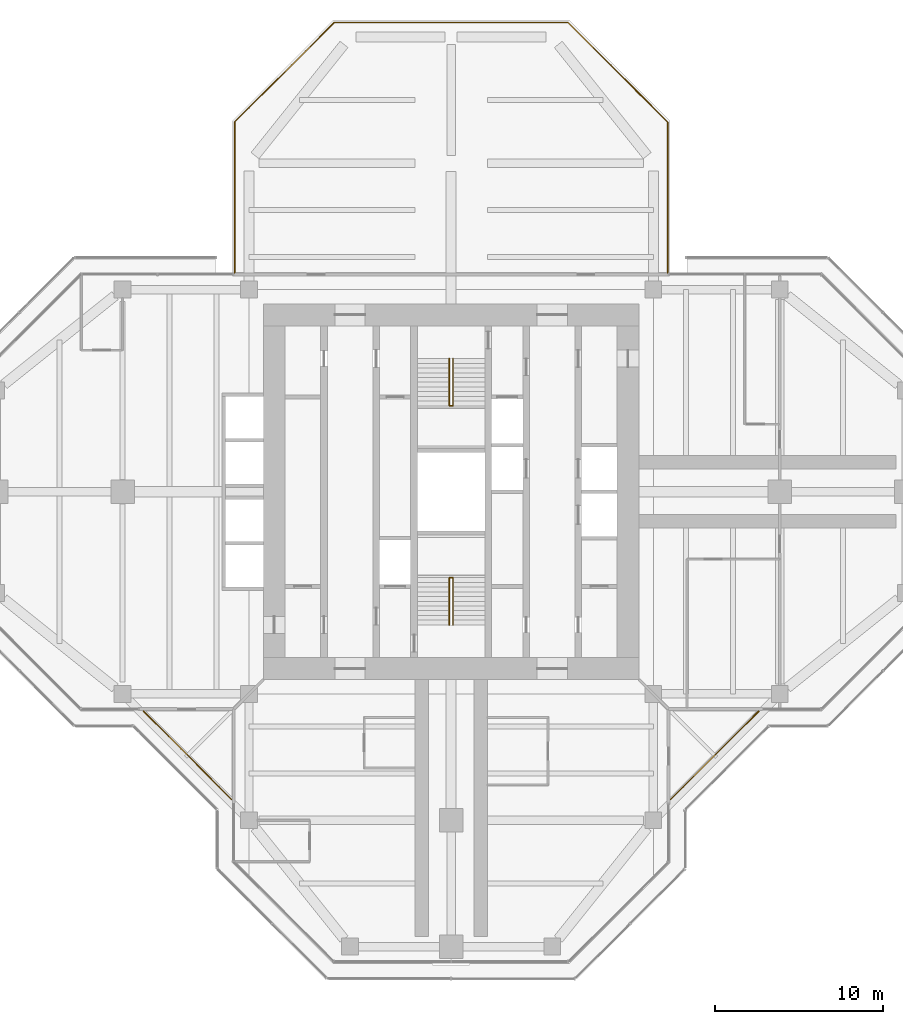
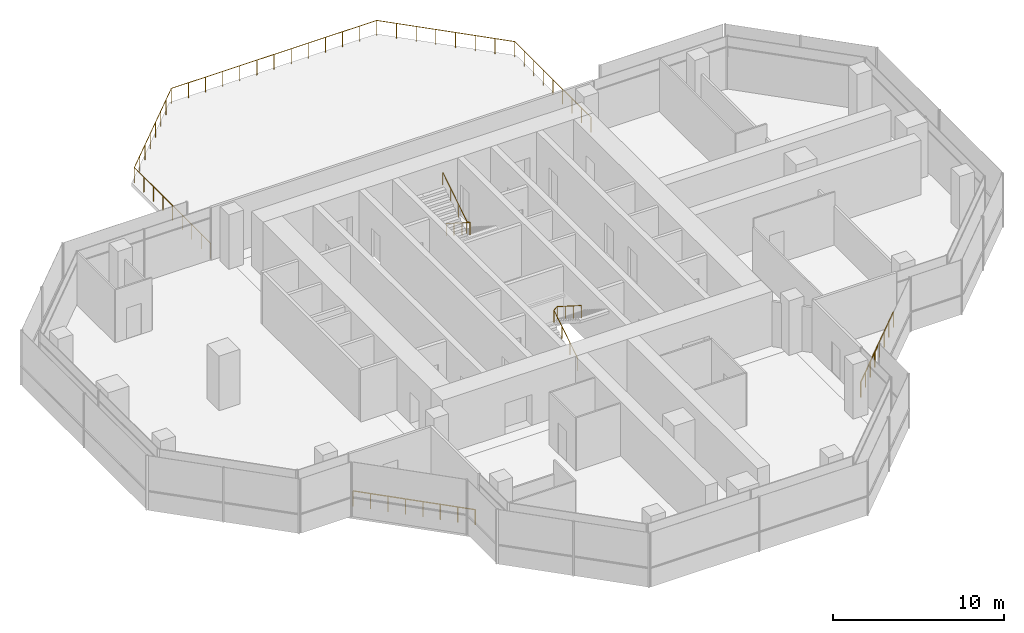
# One storey, part 15 of 15: 5 railings.
"""IFC4 building model written with IfcOpenShell, lengths in metres."""

import ifcopenshell
import ifcopenshell.guid

model = None  # the IFC model being written
_history = None  # IfcOwnerHistory: only IFC2X3 demands one
_inside = {}  # id of a spatial element -> (the spatial element, [elements in it])
_under = {}  # id of a project, library or spatial element -> (it, [spatial elements below it])
_declared = {}  # id of a project -> (the project, [libraries it declares])
_typed = {}  # id of a type object -> (the type object, [elements of that type])
_made_of = {}  # id of a material, layer set ... -> (it, [elements and type objects made of it])


def new_model(schema):
    """Start an empty IFC model of exactly this schema.

    Asked for "IFC4X3", IfcOpenShell would pick the latest addendum, in which some entities
    have other attributes; the version numbers below select the first issue.
    IFC2X3 requires an IfcOwnerHistory on every rooted entity: one is made here for all.
    """
    global model, _history
    if schema == "IFC4X3":
        model = ifcopenshell.file(schema_version=(4, 3, 0, 0))
    else:
        model = ifcopenshell.file(schema=schema)
    _inside.clear()
    _under.clear()
    _declared.clear()
    _typed.clear()
    _made_of.clear()
    _history = None
    if model.schema == "IFC2X3":
        org = make("IfcOrganization", Name="unknown")
        user = make(
            "IfcPersonAndOrganization",
            ThePerson=make("IfcPerson", FamilyName="unknown"),
            TheOrganization=org,
        )
        app = make(
            "IfcApplication",
            ApplicationDeveloper=org,
            Version="unknown",
            ApplicationFullName="unknown",
            ApplicationIdentifier="unknown",
        )
        _history = make(
            "IfcOwnerHistory",
            OwningUser=user,
            OwningApplication=app,
            ChangeAction="ADDED",
            CreationDate=0,
        )
    return model


def make(cls, **values):
    """One entity of the class cls with the attributes given. An attribute that is None is left unset."""
    return model.create_entity(
        cls, **{name: value for name, value in values.items() if value is not None}
    )


def rooted(cls, **values):
    """An entity with a GlobalId (a new one), such as an element, a storey or a relation."""
    return make(cls, GlobalId=ifcopenshell.guid.new(), OwnerHistory=_history, **values)


def si_unit(unit_type, name, prefix=None):
    """IfcSIUnit, for example si_unit("LENGTHUNIT", "METRE", prefix="MILLI")."""
    return make("IfcSIUnit", UnitType=unit_type, Prefix=prefix, Name=name)


def assignment(units):
    """IfcUnitAssignment: the units of a project."""
    return None if units is None else make("IfcUnitAssignment", Units=units)


def point(xyz):
    """IfcCartesianPoint."""
    return None if xyz is None else make("IfcCartesianPoint", Coordinates=xyz)


def direction(xyz):
    """IfcDirection."""
    return None if xyz is None else make("IfcDirection", DirectionRatios=xyz)


def frame(location, z_axis=None, x_axis=None):
    """IfcAxis2Placement3D, a coordinate frame: its origin and axes. An axis left out is left unset."""
    return make(
        "IfcAxis2Placement3D",
        Location=point(location),
        Axis=direction(z_axis),
        RefDirection=direction(x_axis),
    )


def frame_2d(location, x_axis=None):
    """IfcAxis2Placement2D, a coordinate frame in the plane: its origin and x axis."""
    return make(
        "IfcAxis2Placement2D", Location=point(location), RefDirection=direction(x_axis)
    )


def origin():
    """The frame at (0, 0, 0) with its axes left unset."""
    return frame((0.0, 0.0, 0.0))


def origin_2d():
    """The frame at (0, 0) in the plane with its x axis left unset."""
    return frame_2d((0.0, 0.0))


def place(relative_to, where):
    """IfcLocalPlacement: puts the frame where relative to a parent placement (None: the world)."""
    return make(
        "IfcLocalPlacement", PlacementRelTo=relative_to, RelativePlacement=where
    )


def context(
    kind, dimensions, precision=None, world=None, true_north=None, identifier=None
):
    """IfcGeometricRepresentationContext, for example the 3D "Model" context."""
    return make(
        "IfcGeometricRepresentationContext",
        ContextIdentifier=identifier,
        ContextType=kind,
        CoordinateSpaceDimension=dimensions,
        Precision=precision,
        WorldCoordinateSystem=world,
        TrueNorth=true_north,
    )


def subcontext(parent, identifier, kind, view, scale=None):
    """IfcGeometricRepresentationSubContext, for example "Body" below "Model"."""
    return make(
        "IfcGeometricRepresentationSubContext",
        ContextIdentifier=identifier,
        ContextType=kind,
        ParentContext=parent,
        TargetScale=scale,
        TargetView=view,
    )


def project(units=None, contexts=None):
    """IfcProject with its units and contexts."""
    return rooted(
        "IfcProject",
        Name="project",
        RepresentationContexts=contexts,
        UnitsInContext=assignment(units),
    )


def spatial(cls, under=None, at=None, **own):
    """A site, building, storey or space (cls), placed at a placement, below another one or the project."""
    s = rooted(cls, ObjectPlacement=at, **own)
    if under is not None:
        _under.setdefault(under.id(), (under, []))[1].append(s)
    return s


def profile(cls, at=None, kind="AREA", **sizes):
    """A parametric profile (cls). Its sizes go by their IFC names, for example OverallWidth=200.0."""
    return make(cls, ProfileType=kind, Position=at, **sizes)


def circle(**sizes):
    """IfcCircleProfileDef."""
    return profile("IfcCircleProfileDef", **sizes)


def extrude(swept, where, along, depth):
    """IfcExtrudedAreaSolid: the profile swept, set in the frame where, extruded along a direction by depth."""
    return make(
        "IfcExtrudedAreaSolid",
        SweptArea=swept,
        Position=where,
        ExtrudedDirection=direction(along),
        Depth=depth,
    )


def shape(context_of_items, identifier, shape_type, items):
    """IfcShapeRepresentation: the items that make up one representation, for example the "Body"."""
    return make(
        "IfcShapeRepresentation",
        ContextOfItems=context_of_items,
        RepresentationIdentifier=identifier,
        RepresentationType=shape_type,
        Items=items,
    )


def material(Name=None, Category=None):
    """IfcMaterial."""
    return make("IfcMaterial", Name=Name, Category=Category)


def made_of(thing, what):
    """Note that an element or type object is made of a material, layer set ...; save() writes the relation."""
    if what is not None:
        _made_of.setdefault(what.id(), (what, []))[1].append(thing)
    return thing


def type_object(cls, material=None, **own):
    """A type object (cls), such as IfcWallType, which elements share."""
    return made_of(rooted(cls, **own), material)


def element(
    cls,
    number,
    at=None,
    inside=None,
    cuts=None,
    type_object=None,
    material=None,
    context=None,
    identifier="Body",
    shape_type=None,
    held_by="IfcProductDefinitionShape",
    body=None,
    shapes=None,
    **own,
):
    """One element of the class cls, such as IfcWall. Its Tag is "e" and its number.

    at: its placement. inside: the storey or other place that contains it. cuts: it is an
    opening in that element (IfcRelVoidsElement). A single representation is given by context,
    identifier, shape_type and body (its items); several are given by shapes. held_by: the class
    of the entity that holds the representations. save() writes the other relations.
    """
    e = rooted(cls, Tag="e%d" % number, ObjectPlacement=at, **own)
    if body is not None:
        shapes = [shape(context, identifier, shape_type, body)]
    if shapes is not None:
        e.Representation = make(held_by, Representations=shapes)
    if inside is not None:
        _inside.setdefault(inside.id(), (inside, []))[1].append(e)
    if cuts is not None:
        rooted(
            "IfcRelVoidsElement", RelatingBuildingElement=cuts, RelatedOpeningElement=e
        )
    if type_object is not None:
        _typed.setdefault(type_object.id(), (type_object, []))[1].append(e)
    return made_of(e, material)


def aggregate(whole, parts):
    """IfcRelAggregates: a whole, such as a stair, and the parts it consists of."""
    return rooted("IfcRelAggregates", RelatingObject=whole, RelatedObjects=parts)


def save(model, path):
    """Write the relations noted so far, then the file.

    IfcRelAggregates (storeys below a building ...), IfcRelContainedInSpatialStructure (elements
    in a storey), IfcRelDefinesByType, IfcRelAssociatesMaterial and IfcRelDeclares: one each for
    every whole, place, type object, material and project.
    """
    for whole, parts in _under.values():
        aggregate(whole, parts)
    for where, things in _inside.values():
        rooted(
            "IfcRelContainedInSpatialStructure",
            RelatedElements=things,
            RelatingStructure=where,
        )
    for kind, things in _typed.values():
        rooted("IfcRelDefinesByType", RelatedObjects=things, RelatingType=kind)
    for what, things in _made_of.values():
        rooted("IfcRelAssociatesMaterial", RelatedObjects=things, RelatingMaterial=what)
    for by, libraries in _declared.values():
        rooted("IfcRelDeclares", RelatingContext=by, RelatedDefinitions=libraries)
    model.write(path)


model = new_model("IFC4")

# Units and contexts
model_context = context("Model", 3, precision=1e-05, world=origin(), true_north=direction((0.0, 1.0)))
body_context = subcontext(model_context, "Body", "Model", "MODEL_VIEW")
ifc_project = project(units=[si_unit("LENGTHUNIT", "METRE"), si_unit("AREAUNIT", "SQUARE_METRE"), si_unit("VOLUMEUNIT", "CUBIC_METRE"), si_unit("PLANEANGLEUNIT", "RADIAN"), si_unit("MASSUNIT", "GRAM", prefix="KILO")], contexts=[model_context])

# Site, building, storey
site_placement = place(None, origin())
site = spatial("IfcSite", under=ifc_project, at=site_placement, CompositionType="ELEMENT")
building_placement = place(site_placement, origin())
building = spatial("IfcBuilding", under=site, at=building_placement, Name="Mizan Broadcast Tower", CompositionType="ELEMENT")
storey_placement = place(building_placement, frame((0.0, 0.0, 267.300048828125)))
storey = spatial("IfcBuildingStorey", under=building, at=storey_placement, Name="L63", CompositionType="ELEMENT", Elevation=267.300048828125)

# Railings
ifc_material_1 = material(Name="Stainless steel and glass guard", Category="steel")
railing_type_1 = type_object("IfcRailingType", Name="GUARD 1100", PredefinedType="GUARDRAIL", material=ifc_material_1)
railing_1_placement = place(storey_placement, frame((-18.2578125, -13.030029296875, 0.0)))
element("IfcRailing", 1, at=railing_1_placement, inside=storey, type_object=railing_type_1, Name="Winter garden guard L63 W", PredefinedType="GUARDRAIL", context=body_context, shape_type="SweptSolid", body=[
    extrude(circle(Radius=0.02392578125, at=origin_2d()), frame((0.0, 0.0, 1.076171875), z_axis=(0.707106781187, -0.707106781187, 0.0), x_axis=(0.707106781187, 0.707106781187, 0.0)), (0.0, 0.0, 1.0), 7.393310546875),
    extrude(circle(Radius=0.02099609375, at=origin_2d()), origin(), (0.0, 0.0, 1.0), 1.052001953125),
    extrude(circle(Radius=0.02099609375, at=origin_2d()), frame((0.746826171875, -0.746826171875, 0.0)), (0.0, 0.0, 1.0), 1.052001953125),
    extrude(circle(Radius=0.02099609375, at=origin_2d()), frame((1.49365234375, -1.49365234375, 0.0)), (0.0, 0.0, 1.0), 1.052001953125),
    extrude(circle(Radius=0.02099609375, at=origin_2d()), frame((2.240478515625, -2.240478515625, 0.0)), (0.0, 0.0, 1.0), 1.052001953125),
    extrude(circle(Radius=0.02099609375, at=origin_2d()), frame((2.9873046875, -2.9873046875, 0.0)), (0.0, 0.0, 1.0), 1.052001953125),
    extrude(circle(Radius=0.02099609375, at=origin_2d()), frame((3.734130859375, -3.734130859375, 0.0)), (0.0, 0.0, 1.0), 1.052001953125),
    extrude(circle(Radius=0.02099609375, at=origin_2d()), frame((4.48095703125, -4.48095703125, 0.0)), (0.0, 0.0, 1.0), 1.052001953125),
    extrude(circle(Radius=0.02099609375, at=origin_2d()), frame((5.227783203125, -5.227783203125, 0.0)), (0.0, 0.0, 1.0), 1.052001953125),
])
railing_2_placement = place(storey_placement, frame((13.030029296875, -18.2578125, 0.0)))
element("IfcRailing", 2, at=railing_2_placement, inside=storey, type_object=railing_type_1, Name="Winter garden guard L63 S", PredefinedType="GUARDRAIL", context=body_context, shape_type="SweptSolid", body=[
    extrude(circle(Radius=0.02392578125, at=origin_2d()), frame((0.0, 0.0, 1.076171875), z_axis=(0.707106781187, 0.707106781187, 0.0), x_axis=(-0.707106781187, 0.707106781187, 0.0)), (0.0, 0.0, 1.0), 7.393310546875),
    extrude(circle(Radius=0.02099609375, at=origin_2d()), origin(), (0.0, 0.0, 1.0), 1.052001953125),
    extrude(circle(Radius=0.02099609375, at=origin_2d()), frame((0.746826171875, 0.746826171875, 0.0)), (0.0, 0.0, 1.0), 1.052001953125),
    extrude(circle(Radius=0.02099609375, at=origin_2d()), frame((1.49365234375, 1.49365234375, 0.0)), (0.0, 0.0, 1.0), 1.052001953125),
    extrude(circle(Radius=0.02099609375, at=origin_2d()), frame((2.240478515625, 2.240478515625, 0.0)), (0.0, 0.0, 1.0), 1.052001953125),
    extrude(circle(Radius=0.02099609375, at=origin_2d()), frame((2.9873046875, 2.9873046875, 0.0)), (0.0, 0.0, 1.0), 1.052001953125),
    extrude(circle(Radius=0.02099609375, at=origin_2d()), frame((3.734130859375, 3.734130859375, 0.0)), (0.0, 0.0, 1.0), 1.052001953125),
    extrude(circle(Radius=0.02099609375, at=origin_2d()), frame((4.48095703125, 4.48095703125, 0.0)), (0.0, 0.0, 1.0), 1.052001953125),
    extrude(circle(Radius=0.02099609375, at=origin_2d()), frame((5.227783203125, 5.227783203125, 0.0)), (0.0, 0.0, 1.0), 1.052001953125),
])
railing_3_placement = place(storey_placement, frame((12.85009765625, 13.0, 0.0)))
element("IfcRailing", 3, at=railing_3_placement, inside=storey, type_object=railing_type_1, Name="Roof terrace guard L63", PredefinedType="GUARDRAIL", context=body_context, shape_type="SweptSolid", body=[
    extrude(circle(Radius=0.02392578125, at=origin_2d()), frame((0.0, 0.0, 1.076171875), z_axis=(0.0, 1.0, 0.0), x_axis=(-1.0, 0.0, 0.0)), (0.0, 0.0, 1.0), 8.93994140625),
    extrude(circle(Radius=0.02392578125, at=origin_2d()), frame((0.0, 8.93994140625, 1.076171875), z_axis=(-0.707106781187, 0.707106781187, 0.0), x_axis=(-0.707106781187, -0.707106781187, 0.0)), (0.0, 0.0, 1.0), 8.358154296875),
    extrude(circle(Radius=0.02392578125, at=origin_2d()), frame((-5.91015625, 14.85009765625, 1.076171875), z_axis=(-1.0, 0.0, 0.0), x_axis=(0.0, -1.0, 0.0)), (0.0, 0.0, 1.0), 13.8798828125),
    extrude(circle(Radius=0.02392578125, at=origin_2d()), frame((-19.7900390625, 14.85009765625, 1.076171875), z_axis=(-0.707106781187, -0.707106781187, 0.0), x_axis=(0.707106781187, -0.707106781187, 0.0)), (0.0, 0.0, 1.0), 8.358154296875),
    extrude(circle(Radius=0.02392578125, at=origin_2d()), frame((-25.7001953125, 8.93994140625, 1.076171875), z_axis=(0.0, -1.0, 0.0), x_axis=(1.0, 0.0, 0.0)), (0.0, 0.0, 1.0), 8.93994140625),
    extrude(circle(Radius=0.02099609375, at=origin_2d()), origin(), (0.0, 0.0, 1.0), 1.052001953125),
    extrude(circle(Radius=0.02099609375, at=origin_2d()), frame((0.0, 1.117431640625, 0.0)), (0.0, 0.0, 1.0), 1.052001953125),
    extrude(circle(Radius=0.02099609375, at=origin_2d()), frame((0.0, 2.23486328125, 0.0)), (0.0, 0.0, 1.0), 1.052001953125),
    extrude(circle(Radius=0.02099609375, at=origin_2d()), frame((0.0, 3.3525390625, 0.0)), (0.0, 0.0, 1.0), 1.052001953125),
    extrude(circle(Radius=0.02099609375, at=origin_2d()), frame((0.0, 4.469970703125, 0.0)), (0.0, 0.0, 1.0), 1.052001953125),
    extrude(circle(Radius=0.02099609375, at=origin_2d()), frame((0.0, 5.58740234375, 0.0)), (0.0, 0.0, 1.0), 1.052001953125),
    extrude(circle(Radius=0.02099609375, at=origin_2d()), frame((0.0, 6.705078125, 0.0)), (0.0, 0.0, 1.0), 1.052001953125),
    extrude(circle(Radius=0.02099609375, at=origin_2d()), frame((0.0, 7.822509765625, 0.0)), (0.0, 0.0, 1.0), 1.052001953125),
    extrude(circle(Radius=0.02099609375, at=origin_2d()), frame((0.0, 8.93994140625, 0.0)), (0.0, 0.0, 1.0), 1.052001953125),
    extrude(circle(Radius=0.02099609375, at=origin_2d()), frame((-0.84423828125, 9.7841796875, 0.0)), (0.0, 0.0, 1.0), 1.052001953125),
    extrude(circle(Radius=0.02099609375, at=origin_2d()), frame((-1.688720703125, 10.628662109375, 0.0)), (0.0, 0.0, 1.0), 1.052001953125),
    extrude(circle(Radius=0.02099609375, at=origin_2d()), frame((-2.532958984375, 11.472900390625, 0.0)), (0.0, 0.0, 1.0), 1.052001953125),
    extrude(circle(Radius=0.02099609375, at=origin_2d()), frame((-3.377197265625, 12.317138671875, 0.0)), (0.0, 0.0, 1.0), 1.052001953125),
    extrude(circle(Radius=0.02099609375, at=origin_2d()), frame((-4.221435546875, 13.161376953125, 0.0)), (0.0, 0.0, 1.0), 1.052001953125),
    extrude(circle(Radius=0.02099609375, at=origin_2d()), frame((-5.06591796875, 14.005859375, 0.0)), (0.0, 0.0, 1.0), 1.052001953125),
    extrude(circle(Radius=0.02099609375, at=origin_2d()), frame((-5.91015625, 14.85009765625, 0.0)), (0.0, 0.0, 1.0), 1.052001953125),
    extrude(circle(Radius=0.02099609375, at=origin_2d()), frame((-7.06689453125, 14.85009765625, 0.0)), (0.0, 0.0, 1.0), 1.052001953125),
    extrude(circle(Radius=0.02099609375, at=origin_2d()), frame((-8.223388671875, 14.85009765625, 0.0)), (0.0, 0.0, 1.0), 1.052001953125),
    extrude(circle(Radius=0.02099609375, at=origin_2d()), frame((-9.380126953125, 14.85009765625, 0.0)), (0.0, 0.0, 1.0), 1.052001953125),
    extrude(circle(Radius=0.02099609375, at=origin_2d()), frame((-10.536865234375, 14.85009765625, 0.0)), (0.0, 0.0, 1.0), 1.052001953125),
    extrude(circle(Radius=0.02099609375, at=origin_2d()), frame((-11.693359375, 14.85009765625, 0.0)), (0.0, 0.0, 1.0), 1.052001953125),
    extrude(circle(Radius=0.02099609375, at=origin_2d()), frame((-12.85009765625, 14.85009765625, 0.0)), (0.0, 0.0, 1.0), 1.052001953125),
    extrude(circle(Radius=0.02099609375, at=origin_2d()), frame((-14.0068359375, 14.85009765625, 0.0)), (0.0, 0.0, 1.0), 1.052001953125),
    extrude(circle(Radius=0.02099609375, at=origin_2d()), frame((-15.163330078125, 14.85009765625, 0.0)), (0.0, 0.0, 1.0), 1.052001953125),
    extrude(circle(Radius=0.02099609375, at=origin_2d()), frame((-16.320068359375, 14.85009765625, 0.0)), (0.0, 0.0, 1.0), 1.052001953125),
    extrude(circle(Radius=0.02099609375, at=origin_2d()), frame((-17.476806640625, 14.85009765625, 0.0)), (0.0, 0.0, 1.0), 1.052001953125),
    extrude(circle(Radius=0.02099609375, at=origin_2d()), frame((-18.63330078125, 14.85009765625, 0.0)), (0.0, 0.0, 1.0), 1.052001953125),
    extrude(circle(Radius=0.02099609375, at=origin_2d()), frame((-19.7900390625, 14.85009765625, 0.0)), (0.0, 0.0, 1.0), 1.052001953125),
    extrude(circle(Radius=0.02099609375, at=origin_2d()), frame((-20.63427734375, 14.005859375, 0.0)), (0.0, 0.0, 1.0), 1.052001953125),
    extrude(circle(Radius=0.02099609375, at=origin_2d()), frame((-21.478759765625, 13.161376953125, 0.0)), (0.0, 0.0, 1.0), 1.052001953125),
    extrude(circle(Radius=0.02099609375, at=origin_2d()), frame((-22.322998046875, 12.317138671875, 0.0)), (0.0, 0.0, 1.0), 1.052001953125),
    extrude(circle(Radius=0.02099609375, at=origin_2d()), frame((-23.167236328125, 11.472900390625, 0.0)), (0.0, 0.0, 1.0), 1.052001953125),
    extrude(circle(Radius=0.02099609375, at=origin_2d()), frame((-24.011474609375, 10.628662109375, 0.0)), (0.0, 0.0, 1.0), 1.052001953125),
    extrude(circle(Radius=0.02099609375, at=origin_2d()), frame((-24.85595703125, 9.7841796875, 0.0)), (0.0, 0.0, 1.0), 1.052001953125),
    extrude(circle(Radius=0.02099609375, at=origin_2d()), frame((-25.7001953125, 8.93994140625, 0.0)), (0.0, 0.0, 1.0), 1.052001953125),
    extrude(circle(Radius=0.02099609375, at=origin_2d()), frame((-25.7001953125, 7.822509765625, 0.0)), (0.0, 0.0, 1.0), 1.052001953125),
    extrude(circle(Radius=0.02099609375, at=origin_2d()), frame((-25.7001953125, 6.705078125, 0.0)), (0.0, 0.0, 1.0), 1.052001953125),
    extrude(circle(Radius=0.02099609375, at=origin_2d()), frame((-25.7001953125, 5.58740234375, 0.0)), (0.0, 0.0, 1.0), 1.052001953125),
    extrude(circle(Radius=0.02099609375, at=origin_2d()), frame((-25.7001953125, 4.469970703125, 0.0)), (0.0, 0.0, 1.0), 1.052001953125),
    extrude(circle(Radius=0.02099609375, at=origin_2d()), frame((-25.7001953125, 3.3525390625, 0.0)), (0.0, 0.0, 1.0), 1.052001953125),
    extrude(circle(Radius=0.02099609375, at=origin_2d()), frame((-25.7001953125, 2.23486328125, 0.0)), (0.0, 0.0, 1.0), 1.052001953125),
    extrude(circle(Radius=0.02099609375, at=origin_2d()), frame((-25.7001953125, 1.117431640625, 0.0)), (0.0, 0.0, 1.0), 1.052001953125),
    extrude(circle(Radius=0.02099609375, at=origin_2d()), frame((-25.7001953125, 0.0, 0.0)), (0.0, 0.0, 1.0), 1.052001953125),
])
ifc_material_2 = material(Name="Stainless steel", Category="steel")
railing_type_2 = type_object("IfcRailingType", Name="HANDRAIL 50", PredefinedType="HANDRAIL", material=ifc_material_2)
railing_4_placement = place(storey_placement, frame((-0.110107421875, -7.89990234375, 0.17724609375)))
element("IfcRailing", 4, at=railing_4_placement, inside=storey, type_object=railing_type_2, Name="Stair A handrail", PredefinedType="HANDRAIL", context=body_context, shape_type="SweptSolid", body=[
    extrude(circle(Radius=0.02392578125, at=origin_2d()), frame((0.0, 0.0, 0.8759765625), z_axis=(0.0, 0.844887892834, 0.53494340686), x_axis=(-1.0, 0.0, 0.0)), (0.0, 0.0, 1.0), 3.313720703125),
    extrude(circle(Radius=0.02392578125, at=origin_2d()), frame((0.0, 2.7998046875, 2.6484375), z_axis=(0.779011685263, 0.0, 0.627009405212), x_axis=(0.0, 1.0, 0.0)), (0.0, 0.0, 1.0), 0.28271484375),
    extrude(circle(Radius=0.02392578125, at=origin_2d()), frame((0.22021484375, 2.7998046875, 2.82568359375), z_axis=(0.0, -0.844887892834, 0.53494340686), x_axis=(1.0, 0.0, 0.0)), (0.0, 0.0, 1.0), 3.313720703125),
    extrude(circle(Radius=0.02099609375, at=origin_2d()), origin(), (0.0, 0.0, 1.0), 0.851806640625),
    extrude(circle(Radius=0.02099609375, at=origin_2d()), frame((0.0, 0.933349609375, 0.5908203125)), (0.0, 0.0, 1.0), 0.851806640625),
    extrude(circle(Radius=0.02099609375, at=origin_2d()), frame((0.0, 1.866455078125, 1.181884765625)), (0.0, 0.0, 1.0), 0.851806640625),
    extrude(circle(Radius=0.02099609375, at=origin_2d()), frame((0.0, 2.7998046875, 1.772705078125)), (0.0, 0.0, 1.0), 0.851806640625),
    extrude(circle(Radius=0.02099609375, at=origin_2d()), frame((0.22021484375, 2.7998046875, 1.949951171875)), (0.0, 0.0, 1.0), 0.851806640625),
    extrude(circle(Radius=0.02099609375, at=origin_2d()), frame((0.22021484375, 1.866455078125, 2.540771484375)), (0.0, 0.0, 1.0), 0.851806640625),
    extrude(circle(Radius=0.02099609375, at=origin_2d()), frame((0.22021484375, 0.933349609375, 3.1318359375)), (0.0, 0.0, 1.0), 0.851806640625),
    extrude(circle(Radius=0.02099609375, at=origin_2d()), frame((0.22021484375, 0.0, 3.72265625)), (0.0, 0.0, 1.0), 0.851806640625),
])
railing_5_placement = place(storey_placement, frame((0.110107421875, 7.89990234375, 0.17724609375)))
element("IfcRailing", 5, at=railing_5_placement, inside=storey, type_object=railing_type_2, Name="Stair B handrail", PredefinedType="HANDRAIL", context=body_context, shape_type="SweptSolid", body=[
    extrude(circle(Radius=0.02392578125, at=origin_2d()), frame((0.0, 0.0, 0.8759765625), z_axis=(0.0, -0.844887892834, 0.53494340686), x_axis=(1.0, 0.0, 0.0)), (0.0, 0.0, 1.0), 3.313720703125),
    extrude(circle(Radius=0.02392578125, at=origin_2d()), frame((0.0, -2.7998046875, 2.6484375), z_axis=(-0.779011685263, 0.0, 0.627009405212), x_axis=(0.0, -1.0, 0.0)), (0.0, 0.0, 1.0), 0.28271484375),
    extrude(circle(Radius=0.02392578125, at=origin_2d()), frame((-0.22021484375, -2.7998046875, 2.82568359375), z_axis=(0.0, 0.844887892834, 0.53494340686), x_axis=(-1.0, 0.0, 0.0)), (0.0, 0.0, 1.0), 3.313720703125),
    extrude(circle(Radius=0.02099609375, at=origin_2d()), origin(), (0.0, 0.0, 1.0), 0.851806640625),
    extrude(circle(Radius=0.02099609375, at=origin_2d()), frame((0.0, -0.933349609375, 0.5908203125)), (0.0, 0.0, 1.0), 0.851806640625),
    extrude(circle(Radius=0.02099609375, at=origin_2d()), frame((0.0, -1.866455078125, 1.181884765625)), (0.0, 0.0, 1.0), 0.851806640625),
    extrude(circle(Radius=0.02099609375, at=origin_2d()), frame((0.0, -2.7998046875, 1.772705078125)), (0.0, 0.0, 1.0), 0.851806640625),
    extrude(circle(Radius=0.02099609375, at=origin_2d()), frame((-0.22021484375, -2.7998046875, 1.949951171875)), (0.0, 0.0, 1.0), 0.851806640625),
    extrude(circle(Radius=0.02099609375, at=origin_2d()), frame((-0.22021484375, -1.866455078125, 2.540771484375)), (0.0, 0.0, 1.0), 0.851806640625),
    extrude(circle(Radius=0.02099609375, at=origin_2d()), frame((-0.22021484375, -0.933349609375, 3.1318359375)), (0.0, 0.0, 1.0), 0.851806640625),
    extrude(circle(Radius=0.02099609375, at=origin_2d()), frame((-0.22021484375, 0.0, 3.72265625)), (0.0, 0.0, 1.0), 0.851806640625),
])

save(model, "model.ifc")
